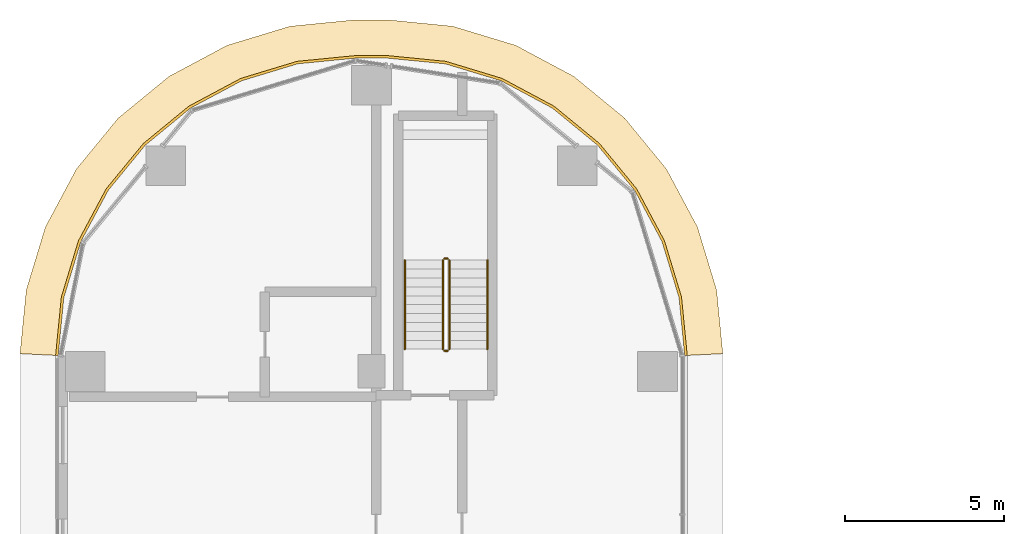
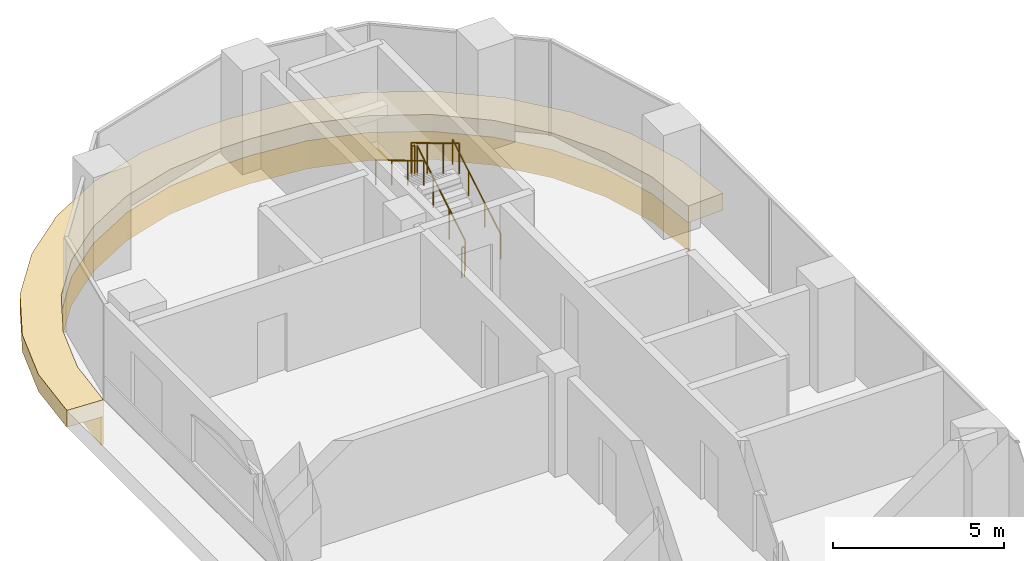
# One storey, part 37 of 40: 6 railings, 2 coverings.
"""IFC4 building model written with IfcOpenShell, lengths in metres."""

from ifc_helpers import new_model, si_unit, direction, frame, origin, origin_2d, place, context, subcontext, project, spatial, polyline, circle, outline, extrude, material, layer, layer_set, type_object, element, save


model = new_model("IFC4")

# Units and contexts
model_context = context("Model", 3, precision=1e-05, world=origin(), true_north=direction((0.0, 1.0)))
body_context = subcontext(model_context, "Body", "Model", "MODEL_VIEW")
ifc_project = project(units=[si_unit("LENGTHUNIT", "METRE"), si_unit("AREAUNIT", "SQUARE_METRE"), si_unit("VOLUMEUNIT", "CUBIC_METRE"), si_unit("PLANEANGLEUNIT", "RADIAN"), si_unit("MASSUNIT", "GRAM", prefix="KILO")], contexts=[model_context])

# Site, building, storey
site_placement = place(None, origin())
site = spatial("IfcSite", under=ifc_project, at=site_placement, CompositionType="ELEMENT")
building_placement = place(site_placement, origin())
building = spatial("IfcBuilding", under=site, at=building_placement, Name="Ogive Portal Towers", CompositionType="ELEMENT")
storey_placement = place(building_placement, frame((0.0, 0.0, 87.10009765625)))
storey = spatial("IfcBuildingStorey", under=building, at=storey_placement, Name="L20", CompositionType="ELEMENT", Elevation=87.10009765625)

# Railings
ifc_material_1 = material(Name="Stainless steel balustrade", Category="steel")
railing_type_1 = type_object("IfcRailingType", Name="INT-GUARD", PredefinedType="GUARDRAIL", material=ifc_material_1)
railing_1_placement = place(storey_placement, frame((42.949951171875, 67.199951171875, 0.16796875)))
element("IfcRailing", 1, at=railing_1_placement, inside=storey, type_object=railing_type_1, Name="L20 ST-A3 stair guard 1", PredefinedType="GUARDRAIL", context=body_context, shape_type="SweptSolid", body=[
    extrude(circle(Radius=0.02392578125, at=origin_2d()), frame((0.0, 0.0, 1.076171875), z_axis=(0.0, 0.857242210791, 0.514913383045), x_axis=(-1.0, 0.0, 0.0)), (0.0, 0.0, 1.0), 3.266357421875),
    extrude(circle(Radius=0.02099609375, at=origin_2d()), origin(), (0.0, 0.0, 1.0), 1.052001953125),
    extrude(circle(Radius=0.02099609375, at=origin_2d()), frame((0.0, 0.933349609375, 0.560546875)), (0.0, 0.0, 1.0), 1.052001953125),
    extrude(circle(Radius=0.02099609375, at=origin_2d()), frame((0.0, 1.86669921875, 1.121337890625)), (0.0, 0.0, 1.0), 1.052001953125),
    extrude(circle(Radius=0.02099609375, at=origin_2d()), frame((0.0, 2.800048828125, 1.681884765625)), (0.0, 0.0, 1.0), 1.052001953125),
])
railing_2_placement = place(storey_placement, frame((42.89990234375, 70.050048828125, 1.849853515625)))
element("IfcRailing", 2, at=railing_2_placement, inside=storey, type_object=railing_type_1, Name="L20 ST-A3 stair guard 2", PredefinedType="GUARDRAIL", context=body_context, shape_type="SweptSolid", body=[
    extrude(circle(Radius=0.02392578125, at=origin_2d()), frame((0.0, 0.0, 1.076171875), z_axis=(-1.0, 0.0, 0.0), x_axis=(0.0, -1.0, 0.0)), (0.0, 0.0, 1.0), 0.099853515625),
    extrude(circle(Radius=0.02099609375, at=origin_2d()), origin(), (0.0, 0.0, 1.0), 1.052001953125),
    extrude(circle(Radius=0.02099609375, at=origin_2d()), frame((-0.099853515625, 0.0, 0.0)), (0.0, 0.0, 1.0), 1.052001953125),
])
railing_3_placement = place(storey_placement, frame((42.75, 70.0, 2.01806640625)))
element("IfcRailing", 3, at=railing_3_placement, inside=storey, type_object=railing_type_1, Name="L20 ST-A3 stair guard 3", PredefinedType="GUARDRAIL", context=body_context, shape_type="SweptSolid", body=[
    extrude(circle(Radius=0.02392578125, at=origin_2d()), frame((0.0, 0.0, 1.076171875), z_axis=(0.0, -0.857242210791, 0.514913383045), x_axis=(1.0, 0.0, 0.0)), (0.0, 0.0, 1.0), 3.266357421875),
    extrude(circle(Radius=0.02099609375, at=origin_2d()), origin(), (0.0, 0.0, 1.0), 1.052001953125),
    extrude(circle(Radius=0.02099609375, at=origin_2d()), frame((0.0, -0.933349609375, 0.560546875)), (0.0, 0.0, 1.0), 1.052001953125),
    extrude(circle(Radius=0.02099609375, at=origin_2d()), frame((0.0, -1.86669921875, 1.121337890625)), (0.0, 0.0, 1.0), 1.052001953125),
    extrude(circle(Radius=0.02099609375, at=origin_2d()), frame((0.0, -2.800048828125, 1.681884765625)), (0.0, 0.0, 1.0), 1.052001953125),
])
railing_4_placement = place(storey_placement, frame((42.89990234375, 67.14990234375, 0.0)))
element("IfcRailing", 4, at=railing_4_placement, inside=storey, type_object=railing_type_1, Name="L20 ST-A3 stair guard 4", PredefinedType="GUARDRAIL", context=body_context, shape_type="SweptSolid", body=[
    extrude(circle(Radius=0.02392578125, at=origin_2d()), frame((0.0, 0.0, 1.076171875), z_axis=(-1.0, 0.0, 0.0), x_axis=(0.0, -1.0, 0.0)), (0.0, 0.0, 1.0), 0.099853515625),
    extrude(circle(Radius=0.02099609375, at=origin_2d()), origin(), (0.0, 0.0, 1.0), 1.052001953125),
    extrude(circle(Radius=0.02099609375, at=origin_2d()), frame((-0.099853515625, 0.0, 0.0)), (0.0, 0.0, 1.0), 1.052001953125),
])
ifc_material_2 = material(Name="Stainless steel handrail", Category="steel")
railing_type_2 = type_object("IfcRailingType", Name="INT-HANDRAIL", PredefinedType="HANDRAIL", material=ifc_material_2)
railing_5_placement = place(storey_placement, frame((44.14990234375, 67.199951171875, 0.16796875)))
element("IfcRailing", 5, at=railing_5_placement, inside=storey, type_object=railing_type_2, Name="L20 ST-A3 stair handrail 1", PredefinedType="HANDRAIL", context=body_context, shape_type="SweptSolid", body=[
    extrude(circle(Radius=0.02392578125, at=origin_2d()), frame((0.0, 0.0, 0.8759765625), z_axis=(0.0, 0.857242210791, 0.514913383045), x_axis=(-1.0, 0.0, 0.0)), (0.0, 0.0, 1.0), 3.266357421875),
    extrude(circle(Radius=0.02099609375, at=origin_2d()), origin(), (0.0, 0.0, 1.0), 0.851806640625),
    extrude(circle(Radius=0.02099609375, at=origin_2d()), frame((0.0, 0.933349609375, 0.560546875)), (0.0, 0.0, 1.0), 0.851806640625),
    extrude(circle(Radius=0.02099609375, at=origin_2d()), frame((0.0, 1.86669921875, 1.121337890625)), (0.0, 0.0, 1.0), 0.851806640625),
    extrude(circle(Radius=0.02099609375, at=origin_2d()), frame((0.0, 2.800048828125, 1.681884765625)), (0.0, 0.0, 1.0), 0.851806640625),
])
railing_6_placement = place(storey_placement, frame((41.550048828125, 70.0, 2.01806640625)))
element("IfcRailing", 6, at=railing_6_placement, inside=storey, type_object=railing_type_2, Name="L20 ST-A3 stair handrail 2", PredefinedType="HANDRAIL", context=body_context, shape_type="SweptSolid", body=[
    extrude(circle(Radius=0.02392578125, at=origin_2d()), frame((0.0, 0.0, 0.8759765625), z_axis=(0.0, -0.857242210791, 0.514913383045), x_axis=(1.0, 0.0, 0.0)), (0.0, 0.0, 1.0), 3.266357421875),
    extrude(circle(Radius=0.02099609375, at=origin_2d()), origin(), (0.0, 0.0, 1.0), 0.851806640625),
    extrude(circle(Radius=0.02099609375, at=origin_2d()), frame((0.0, -0.933349609375, 0.560546875)), (0.0, 0.0, 1.0), 0.851806640625),
    extrude(circle(Radius=0.02099609375, at=origin_2d()), frame((0.0, -1.86669921875, 1.121337890625)), (0.0, 0.0, 1.0), 0.851806640625),
    extrude(circle(Radius=0.02099609375, at=origin_2d()), frame((0.0, -2.800048828125, 1.681884765625)), (0.0, 0.0, 1.0), 0.851806640625),
])

# Coverings
ifc_material_3 = material(Name="Limestone cladding on lightweight block wall", Category="masonry")
ifc_layer_1 = layer(ifc_material_3, 0.080078125)
ifc_layer_set_1 = layer_set([ifc_layer_1], Name="STONE SPANDREL 80")
covering_type_1 = type_object("IfcCoveringType", Name="STONE SPANDREL 80", PredefinedType="CLADDING", material=ifc_layer_set_1)
covering_1_placement = place(storey_placement, frame((0.0, 0.0, -1.60009765625)))
element("IfcCovering", 7, at=covering_1_placement, inside=storey, type_object=covering_type_1, Name="Stone spandrel A1-F12", PredefinedType="CLADDING", context=body_context, shape_type="SweptSolid", body=[
    extrude(outline(polyline([(50.35498046875, 67.0), (50.17529296875, 68.824951171875), (49.642822265625, 70.580078125), (48.7783203125, 72.197265625), (47.614990234375, 73.614990234375), (46.197265625, 74.7783203125), (44.580078125, 75.642822265625), (42.824951171875, 76.17529296875), (41.0, 76.35498046875), (40.0, 76.35498046875), (38.175048828125, 76.17529296875), (36.419921875, 75.642822265625), (34.802734375, 74.7783203125), (33.385009765625, 73.614990234375), (32.2216796875, 72.197265625), (31.357177734375, 70.580078125), (30.82470703125, 68.824951171875), (30.64501953125, 67.0), (30.56494140625, 67.00390625), (30.745849609375, 68.8408203125), (31.282958984375, 70.61083984375), (32.15478515625, 72.241943359375), (33.328125, 73.671875), (34.758056640625, 74.84521484375), (36.38916015625, 75.717041015625), (38.1591796875, 76.254150390625), (39.99609375, 76.43505859375), (41.00390625, 76.43505859375), (42.8408203125, 76.254150390625), (44.61083984375, 75.717041015625), (46.241943359375, 74.84521484375), (47.671875, 73.671875), (48.84521484375, 72.241943359375), (49.717041015625, 70.61083984375), (50.254150390625, 68.8408203125), (50.43505859375, 67.00390625), (50.35498046875, 67.0)])), origin(), (0.0, 0.0, 1.0), 1.0),
])
ifc_layer_2 = layer(ifc_material_3, 0.60009765625)
ifc_layer_set_2 = layer_set([ifc_layer_2], Name="SUNSHADE LIP 600")
covering_type_2 = type_object("IfcCoveringType", Name="SUNSHADE LIP 600", PredefinedType="CLADDING", material=ifc_layer_set_2)
covering_2_placement = place(storey_placement, frame((0.0, 0.0, -0.60009765625)))
element("IfcCovering", 8, at=covering_2_placement, inside=storey, type_object=covering_type_2, Name="Sunshade lip A1-F12", PredefinedType="CLADDING", context=body_context, shape_type="SweptSolid", body=[
    extrude(outline(polyline([(50.35498046875, 67.0), (50.17529296875, 68.824951171875), (49.642822265625, 70.580078125), (48.7783203125, 72.197265625), (47.614990234375, 73.614990234375), (46.197265625, 74.7783203125), (44.580078125, 75.642822265625), (42.824951171875, 76.17529296875), (41.0, 76.35498046875), (40.0, 76.35498046875), (38.175048828125, 76.17529296875), (36.419921875, 75.642822265625), (34.802734375, 74.7783203125), (33.385009765625, 73.614990234375), (32.2216796875, 72.197265625), (31.357177734375, 70.580078125), (30.82470703125, 68.824951171875), (30.64501953125, 67.0), (29.445068359375, 67.058837890625), (29.64208984375, 69.060302734375), (30.2431640625, 71.04150390625), (31.218994140625, 72.8671875), (32.532470703125, 74.467529296875), (34.1328125, 75.781005859375), (35.95849609375, 76.7568359375), (37.939697265625, 77.35791015625), (39.941162109375, 77.554931640625), (41.058837890625, 77.554931640625), (43.060302734375, 77.35791015625), (45.04150390625, 76.7568359375), (46.8671875, 75.781005859375), (48.467529296875, 74.467529296875), (49.781005859375, 72.8671875), (50.7568359375, 71.04150390625), (51.35791015625, 69.060302734375), (51.554931640625, 67.058837890625), (50.35498046875, 67.0)])), origin(), (0.0, 0.0, 1.0), 0.60009765625),
])

save(model, "model.ifc")
